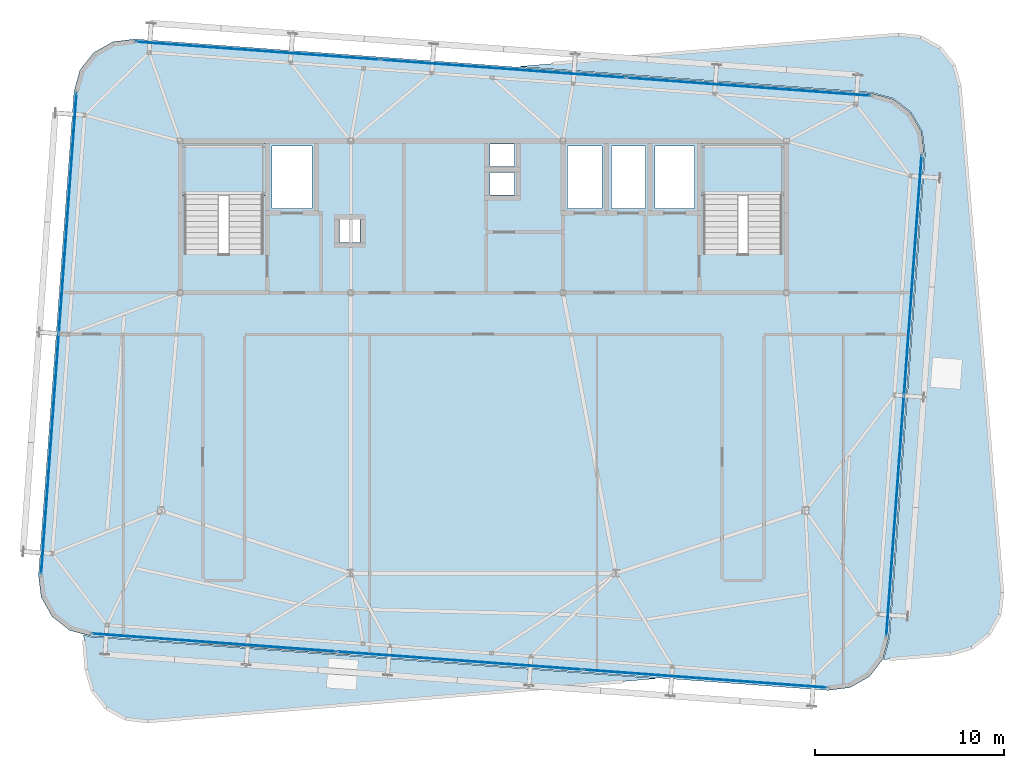
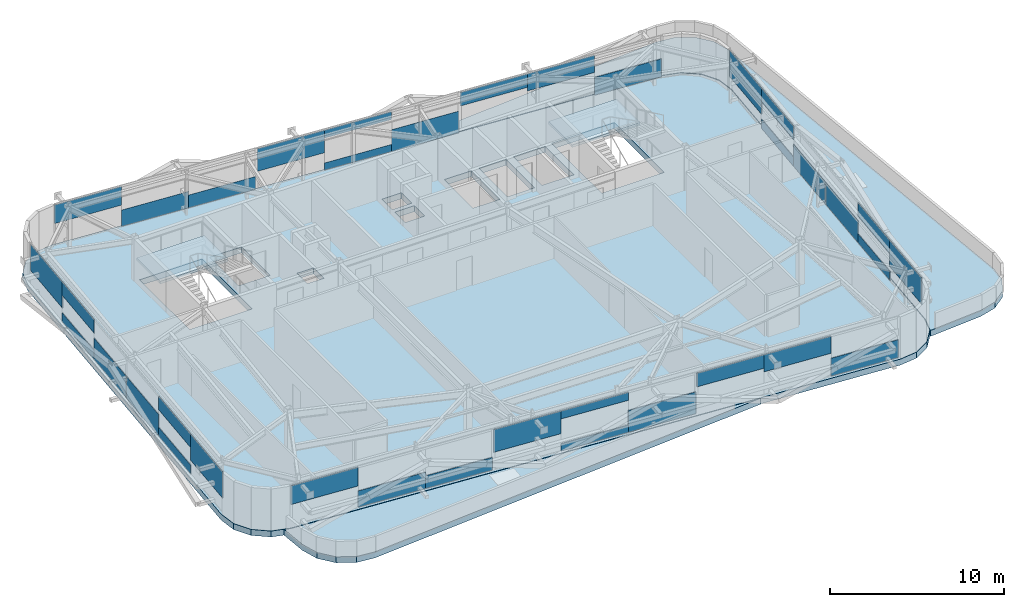
# One storey, part 24 of 37: 36 plates, 5 slabs, 6 elements without a shape of their own.
"""IFC4 building model written with IfcOpenShell, lengths in metres."""

from ifc_helpers import new_model, si_unit, direction, frame, origin, origin_2d, place, context, subcontext, project, spatial, polyline, rectangle, outline, extrude, source, transform, mapped, material, layer, layer_set, type_object, element, aggregate, save


model = new_model("IFC4")

# Units and contexts
model_context = context("Model", 3, precision=1e-05, world=origin(), true_north=direction((0.0, 1.0)))
body_context = subcontext(model_context, "Body", "Model", "MODEL_VIEW")
ifc_project = project(units=[si_unit("LENGTHUNIT", "METRE"), si_unit("AREAUNIT", "SQUARE_METRE"), si_unit("VOLUMEUNIT", "CUBIC_METRE"), si_unit("PLANEANGLEUNIT", "RADIAN"), si_unit("MASSUNIT", "GRAM", prefix="KILO")], contexts=[model_context])

# Site, building, storey
site_placement = place(None, origin())
site = spatial("IfcSite", under=ifc_project, at=site_placement, CompositionType="ELEMENT")
building_placement = place(site_placement, origin())
building = spatial("IfcBuilding", under=site, at=building_placement, Name="Taldren Reach Tower", CompositionType="ELEMENT")
storey_placement = place(building_placement, frame((0.0, 0.0, 211.39990234375)))
storey = spatial("IfcBuildingStorey", under=building, at=storey_placement, Name="L64", CompositionType="ELEMENT", Elevation=211.39990234375)

# Stair, slab
ifc_material_1 = material(Name="Concrete S50 (50 MPa)", Category="concrete")
stair_type = type_object("IfcStairType", Name="ST-HT-315", PredefinedType="HALF_TURN_STAIR", material=ifc_material_1)
stair_1_placement = place(storey_placement, origin())
stair_1 = element("IfcStair", 1, at=stair_1_placement, inside=storey, type_object=stair_type, Name="Fire-isolated exit stair ST1 L64", PredefinedType="HALF_TURN_STAIR")
ifc_layer_1 = layer(ifc_material_1, 0.179931640625)
ifc_layer_set_1 = layer_set([ifc_layer_1], Name="Concrete S50 (50 MPa)")
slab_type_1 = type_object("IfcSlabType", Name="SL-LAND-180", PredefinedType="LANDING", material=ifc_layer_set_1)
slab_1_placement = place(storey_placement, frame((0.0, 0.0, 1.39501953125)))
slab_1 = element("IfcSlab", 2, at=slab_1_placement, type_object=slab_type_1, Name="ST1 landing 1", PredefinedType="LANDING", context=body_context, shape_type="SweptSolid", body=[
    extrude(outline(polyline([(19.0400390625, 29.135009765625), (23.56005859375, 29.135009765625), (23.56005859375, 31.8701171875), (19.0400390625, 31.8701171875), (19.0400390625, 29.135009765625)])), origin(), (0.0, 0.0, 1.0), 0.18017578125),
])
aggregate(stair_1, [slab_1])

stair_2_placement = place(storey_placement, origin())
stair_2 = element("IfcStair", 3, at=stair_2_placement, inside=storey, type_object=stair_type, Name="Fire-isolated exit stair ST2 L64", PredefinedType="HALF_TURN_STAIR")
slab_2_placement = place(storey_placement, frame((0.0, 0.0, 1.39501953125)))
slab_2 = element("IfcSlab", 4, at=slab_2_placement, type_object=slab_type_1, Name="ST2 landing 1", PredefinedType="LANDING", context=body_context, shape_type="SweptSolid", body=[
    extrude(outline(polyline([(46.43994140625, 29.135009765625), (50.9599609375, 29.135009765625), (50.9599609375, 31.8701171875), (46.43994140625, 31.8701171875), (46.43994140625, 29.135009765625)])), origin(), (0.0, 0.0, 1.0), 0.18017578125),
])
aggregate(stair_2, [slab_2])

# Slabs
ifc_layer_2 = layer(ifc_material_1, 0.419921875)
ifc_layer_set_2 = layer_set([ifc_layer_2], Name="Concrete S50 (50 MPa)")
slab_type_2 = type_object("IfcSlabType", Name="SL-TERR-420", PredefinedType="FLOOR", material=ifc_layer_set_2)
slab_3_placement = place(storey_placement, frame((0.0, 0.0, -0.419921875)))
element("IfcSlab", 5, at=slab_3_placement, inside=storey, type_object=slab_type_2, Name="Planted setback sky terrace L64-1", PredefinedType="FLOOR", context=body_context, shape_type="SweptSolid", body=[
    extrude(outline(polyline([(58.06640625, 37.4892578125), (59.090576171875, 36.922607421875), (59.820068359375, 36.007080078125), (60.1435546875, 34.882080078125), (62.38623046875, 8.17626953125), (62.254638671875, 7.012939453125), (61.688232421875, 5.98876953125), (60.772705078125, 5.25927734375), (59.647705078125, 4.935791015625), (56.11328125, 4.638916015625), (56.114013671875, 4.639892578125), (56.11572265625, 4.642333984375), (56.1171875, 4.644775390625), (56.118408203125, 4.6474609375), (56.119140625, 4.650390625), (56.43115234375, 5.778564453125), (56.431640625, 5.781494140625), (56.43212890625, 5.784423828125), (58.306884765625, 31.315673828125), (58.30712890625, 31.318603515625), (58.306884765625, 31.321533203125), (58.1630859375, 32.483154296875), (58.16259765625, 32.486083984375), (58.161865234375, 32.48876953125), (58.160888671875, 32.49169921875), (58.159423828125, 32.494140625), (57.582275390625, 33.512451171875), (57.58056640625, 33.51513671875), (57.578857421875, 33.517333984375), (57.57666015625, 33.51953125), (57.574462890625, 33.521484375), (56.651611328125, 34.2412109375), (56.649169921875, 34.242919921875), (56.646484375, 34.244384765625), (56.643798828125, 34.24560546875), (56.64111328125, 34.24658203125), (55.5126953125, 34.558349609375), (55.510009765625, 34.55908203125), (55.507080078125, 34.559326171875), (36.8037109375, 35.932861328125), (56.903076171875, 37.62060546875), (58.06640625, 37.4892578125)])), origin(), (0.0, 0.0, 1.0), 0.419921875),
])
slab_4_placement = place(storey_placement, frame((0.0, 0.0, -0.419921875)))
element("IfcSlab", 6, at=slab_4_placement, inside=storey, type_object=slab_type_2, Name="Planted setback sky terrace L64-2", PredefinedType="FLOOR", context=body_context, shape_type="SweptSolid", body=[
    extrude(outline(polyline([(16.1337890625, 1.5107421875), (15.109375, 2.077392578125), (14.3798828125, 2.992919921875), (14.056396484375, 4.117919921875), (13.902587890625, 5.947998046875), (14.287109375, 5.841552734375), (14.2900390625, 5.841064453125), (14.29296875, 5.840576171875), (44.23779296875, 3.6416015625), (17.296875, 1.37939453125), (16.1337890625, 1.5107421875)])), origin(), (0.0, 0.0, 1.0), 0.419921875),
])
ifc_material_2 = material(Name="Concrete S65 (65 MPa)", Category="concrete")
ifc_layer_3 = layer(ifc_material_2, 0.419921875)
ifc_layer_set_3 = layer_set([ifc_layer_3], Name="Concrete S65 (65 MPa)")
slab_type_3 = type_object("IfcSlabType", Name="SL-TRANS-420", PredefinedType="FLOOR", material=ifc_layer_set_3)
slab_5_placement = place(storey_placement, frame((0.0, 0.0, -0.419921875)))
element("IfcSlab", 7, at=slab_5_placement, inside=storey, type_object=slab_type_3, Name="Suspended floor slab L64", PredefinedType="FLOOR", context=body_context, shape_type="SweptSolid", body=[
    extrude(outline(polyline([(53.1904296875, 3.014404296875), (54.35205078125, 3.157958984375), (55.370361328125, 3.7353515625), (56.09033203125, 4.658203125), (56.402099609375, 5.78662109375), (58.277099609375, 31.31787109375), (58.13330078125, 32.4794921875), (57.55615234375, 33.497802734375), (56.633056640625, 34.217529296875), (55.5048828125, 34.529541015625), (16.609619140625, 37.3857421875), (15.44775390625, 37.241943359375), (14.429443359375, 36.664794921875), (13.709716796875, 35.74169921875), (13.39794921875, 34.613525390625), (11.52294921875, 9.082275390625), (11.666748046875, 7.920654296875), (12.243896484375, 6.90234375), (13.1669921875, 6.182373046875), (14.295166015625, 5.87060546875), (53.1904296875, 3.014404296875)]), holes=[polyline([(19.219970703125, 26.050048828125), (23.3798828125, 26.050048828125), (23.3798828125, 31.820068359375), (19.219970703125, 31.820068359375), (19.219970703125, 26.050048828125)]), polyline([(46.6201171875, 26.050048828125), (50.780029296875, 26.050048828125), (50.780029296875, 31.820068359375), (46.6201171875, 31.820068359375), (46.6201171875, 26.050048828125)]), polyline([(23.85009765625, 28.449951171875), (25.949951171875, 28.449951171875), (25.949951171875, 31.75), (23.85009765625, 31.75), (23.85009765625, 28.449951171875)]), polyline([(44.050048828125, 28.449951171875), (46.14990234375, 28.449951171875), (46.14990234375, 31.75), (44.050048828125, 31.75), (44.050048828125, 28.449951171875)]), polyline([(39.449951171875, 28.449951171875), (41.25, 28.449951171875), (41.25, 31.75), (39.449951171875, 31.75), (39.449951171875, 28.449951171875)]), polyline([(41.75, 28.449951171875), (43.550048828125, 28.449951171875), (43.550048828125, 31.75), (41.75, 31.75), (41.75, 28.449951171875)]), polyline([(35.35009765625, 30.64990234375), (36.64990234375, 30.64990234375), (36.64990234375, 31.85009765625), (35.35009765625, 31.85009765625), (35.35009765625, 30.64990234375)]), polyline([(35.35009765625, 29.14990234375), (36.64990234375, 29.14990234375), (36.64990234375, 30.35009765625), (35.35009765625, 30.35009765625), (35.35009765625, 29.14990234375)]), polyline([(27.39990234375, 26.64990234375), (28.5, 26.64990234375), (28.5, 27.85009765625), (27.39990234375, 27.85009765625), (27.39990234375, 26.64990234375)])]), origin(), (0.0, 0.0, 1.0), 0.419921875),
])

# Curtain wall, plate
ifc_material_3 = material(Name="Aluminium and Low-E Glass Unitised System", Category="aluminium")
ifc_layer_4 = layer(ifc_material_3, 0.159912109375)
ifc_layer_set_4 = layer_set([ifc_layer_4], Name="Aluminium and Low-E Glass Unitised System")
curtain_wall_type = type_object("IfcCurtainWallType", Name="CW-SYS-6", PredefinedType="NOTDEFINED", material=ifc_layer_set_4)
curtain_wall_1_placement = place(storey_placement, origin())
curtain_wall_1 = element("IfcCurtainWall", 8, at=curtain_wall_1_placement, inside=storey, type_object=curtain_wall_type, Name="Unitised curtain wall CW-L64-S", PredefinedType="NOTDEFINED")
ifc_material_4 = material(Name="Acoustic Triple-Laminated IGU", Category="glass")
ifc_layer_5 = layer(ifc_material_4, 0.035888671875)
ifc_layer_set_5 = layer_set([ifc_layer_5], Name="Acoustic Triple-Laminated IGU")
plate_type = type_object("IfcPlateType", Name="CW-PNL-IGU36", PredefinedType="CURTAIN_PANEL", material=ifc_layer_set_5)
shared_shape_1 = source(origin(), body_context, "Body", "SweptSolid", [
    extrude(rectangle(XDim=4.2958984375, YDim=0.035888671875, at=origin_2d()), origin(), (0.0, 0.0, 1.0), 1.314208984375),
])
plate_1_placement = place(storey_placement, frame((16.5224609375, 5.847412109375, 1.55615234375), z_axis=(0.0, 0.0, 1.0), x_axis=(0.997314476006, -0.073238213716, 0.0)))
plate_1 = element("IfcPlate", 9, at=plate_1_placement, type_object=plate_type, Name="CW-6 panel 1.1 part 1", PredefinedType="CURTAIN_PANEL", context=body_context, shape_type="MappedRepresentation", body=[
    mapped(shared_shape_1, transform((0.0, 0.0, 0.0), scale=1.0)),
])

curtain_wall_2_placement = place(storey_placement, origin())
curtain_wall_2 = element("IfcCurtainWall", 10, at=curtain_wall_2_placement, inside=storey, type_object=curtain_wall_type, Name="Unitised curtain wall CW-L64-N", PredefinedType="NOTDEFINED")
plate_2_placement = place(storey_placement, frame((18.816162109375, 37.083251953125, 1.55615234375), z_axis=(0.0, 0.0, 1.0), x_axis=(-0.997314476006, 0.073238213716, 0.0)))
plate_2 = element("IfcPlate", 11, at=plate_2_placement, type_object=plate_type, Name="CW-6 panel 3.1 part 3", PredefinedType="CURTAIN_PANEL", context=body_context, shape_type="MappedRepresentation", body=[
    mapped(shared_shape_1, transform((0.0, 0.0, 0.0), scale=1.0)),
])

# Plate
shared_shape_2 = source(origin(), body_context, "Body", "SweptSolid", [
    extrude(rectangle(XDim=4.2958984375, YDim=0.035888671875, at=origin_2d()), origin(), (0.0, 0.0, 1.0), 1.144287109375),
])
plate_3_placement = place(storey_placement, frame((20.806640625, 5.53271484375, 0.06005859375), z_axis=(0.0, 0.0, 1.0), x_axis=(0.997314476006, -0.073238213716, 0.0)))
plate_3 = element("IfcPlate", 12, at=plate_3_placement, type_object=plate_type, Name="CW-6 panel 1.1 part 2", PredefinedType="CURTAIN_PANEL", context=body_context, shape_type="MappedRepresentation", body=[
    mapped(shared_shape_2, transform((0.0, 0.0, 0.0), scale=1.0)),
])

plate_4_placement = place(storey_placement, frame((23.1005859375, 36.7685546875, 0.06005859375), z_axis=(0.0, 0.0, 1.0), x_axis=(-0.997314476006, 0.073238213716, 0.0)))
plate_4 = element("IfcPlate", 13, at=plate_4_placement, type_object=plate_type, Name="CW-6 panel 3.1 part 2", PredefinedType="CURTAIN_PANEL", context=body_context, shape_type="MappedRepresentation", body=[
    mapped(shared_shape_2, transform((0.0, 0.0, 0.0), scale=1.0)),
])

shared_shape_3 = source(origin(), body_context, "Body", "SweptSolid", [
    extrude(rectangle(XDim=4.2958984375, YDim=0.035888671875, at=origin_2d()), origin(), (0.0, 0.0, 1.0), 0.89306640625),
])
plate_5_placement = place(storey_placement, frame((25.091064453125, 5.21826171875, 0.06005859375), z_axis=(0.0, 0.0, 1.0), x_axis=(0.997314476006, -0.073238213716, 0.0)))
plate_5 = element("IfcPlate", 14, at=plate_5_placement, type_object=plate_type, Name="CW-6 panel 1.1 part 3", PredefinedType="CURTAIN_PANEL", context=body_context, shape_type="MappedRepresentation", body=[
    mapped(shared_shape_3, transform((0.0, 0.0, 0.0), scale=1.0)),
])

plate_6_placement = place(storey_placement, frame((27.384765625, 36.4541015625, 0.06005859375), z_axis=(0.0, 0.0, 1.0), x_axis=(-0.997314476006, 0.073238213716, 0.0)))
plate_6 = element("IfcPlate", 15, at=plate_6_placement, type_object=plate_type, Name="CW-6 panel 3.1 part 1", PredefinedType="CURTAIN_PANEL", context=body_context, shape_type="MappedRepresentation", body=[
    mapped(shared_shape_3, transform((0.0, 0.0, 0.0), scale=1.0)),
])

shared_shape_4 = source(origin(), body_context, "Body", "SweptSolid", [
    extrude(rectangle(XDim=4.308349609375, YDim=0.035888671875, at=origin_2d()), origin(), (0.0, 0.0, 1.0), 1.589599609375),
])
plate_7_placement = place(storey_placement, frame((29.456298828125, 4.897705078125, 1.2802734375), z_axis=(0.0, 0.0, 1.0), x_axis=(0.997314476006, -0.073238213716, 0.0)))
plate_7 = element("IfcPlate", 16, at=plate_7_placement, type_object=plate_type, Name="CW-6 panel 2.1 part 1", PredefinedType="CURTAIN_PANEL", context=body_context, shape_type="MappedRepresentation", body=[
    mapped(shared_shape_4, transform((0.0, 0.0, 0.0), scale=1.0)),
])

plate_8_placement = place(storey_placement, frame((31.750244140625, 36.133544921875, 1.2802734375), z_axis=(0.0, 0.0, 1.0), x_axis=(-0.997314476006, 0.073238213716, 0.0)))
plate_8 = element("IfcPlate", 17, at=plate_8_placement, type_object=plate_type, Name="CW-6 panel 2.1 part 4", PredefinedType="CURTAIN_PANEL", context=body_context, shape_type="MappedRepresentation", body=[
    mapped(shared_shape_4, transform((0.0, 0.0, 0.0), scale=1.0)),
])

shared_shape_5 = source(origin(), body_context, "Body", "SweptSolid", [
    extrude(rectangle(XDim=4.308349609375, YDim=0.035888671875, at=origin_2d()), origin(), (0.0, 0.0, 1.0), 0.499267578125),
])
plate_9_placement = place(storey_placement, frame((33.753173828125, 4.58203125, 0.06005859375), z_axis=(0.0, 0.0, 1.0), x_axis=(0.997314476006, -0.073238213716, 0.0)))
plate_9 = element("IfcPlate", 18, at=plate_9_placement, type_object=plate_type, Name="CW-6 panel 2.1 part 2", PredefinedType="CURTAIN_PANEL", context=body_context, shape_type="MappedRepresentation", body=[
    mapped(shared_shape_5, transform((0.0, 0.0, 0.0), scale=1.0)),
])

plate_10_placement = place(storey_placement, frame((36.046875, 35.81787109375, 0.06005859375), z_axis=(0.0, 0.0, 1.0), x_axis=(-0.997314476006, 0.073238213716, 0.0)))
plate_10 = element("IfcPlate", 19, at=plate_10_placement, type_object=plate_type, Name="CW-6 panel 2.1 part 2", PredefinedType="CURTAIN_PANEL", context=body_context, shape_type="MappedRepresentation", body=[
    mapped(shared_shape_5, transform((0.0, 0.0, 0.0), scale=1.0)),
])

shared_shape_6 = source(origin(), body_context, "Body", "SweptSolid", [
    extrude(rectangle(XDim=4.308349609375, YDim=0.035888671875, at=origin_2d()), origin(), (0.0, 0.0, 1.0), 0.559326171875),
])
plate_11_placement = place(storey_placement, frame((33.753173828125, 4.58203125, 2.310546875), z_axis=(0.0, 0.0, 1.0), x_axis=(0.997314476006, -0.073238213716, 0.0)))
plate_11 = element("IfcPlate", 20, at=plate_11_placement, type_object=plate_type, Name="CW-6 panel 2.1 part 3", PredefinedType="CURTAIN_PANEL", context=body_context, shape_type="MappedRepresentation", body=[
    mapped(shared_shape_6, transform((0.0, 0.0, 0.0), scale=1.0)),
])

plate_12_placement = place(storey_placement, frame((36.046875, 35.81787109375, 2.310546875), z_axis=(0.0, 0.0, 1.0), x_axis=(-0.997314476006, 0.073238213716, 0.0)))
plate_12 = element("IfcPlate", 21, at=plate_12_placement, type_object=plate_type, Name="CW-6 panel 2.1 part 3", PredefinedType="CURTAIN_PANEL", context=body_context, shape_type="MappedRepresentation", body=[
    mapped(shared_shape_6, transform((0.0, 0.0, 0.0), scale=1.0)),
])

shared_shape_7 = source(origin(), body_context, "Body", "SweptSolid", [
    extrude(rectangle(XDim=4.308349609375, YDim=0.035888671875, at=origin_2d()), origin(), (0.0, 0.0, 1.0), 1.52978515625),
])
plate_13_placement = place(storey_placement, frame((38.0498046875, 4.2666015625, 0.06005859375), z_axis=(0.0, 0.0, 1.0), x_axis=(0.997314476006, -0.073238213716, 0.0)))
plate_13 = element("IfcPlate", 22, at=plate_13_placement, type_object=plate_type, Name="CW-6 panel 2.1 part 4", PredefinedType="CURTAIN_PANEL", context=body_context, shape_type="MappedRepresentation", body=[
    mapped(shared_shape_7, transform((0.0, 0.0, 0.0), scale=1.0)),
])

plate_14_placement = place(storey_placement, frame((40.34375, 35.50244140625, 0.06005859375), z_axis=(0.0, 0.0, 1.0), x_axis=(-0.997314476006, 0.073238213716, 0.0)))
plate_14 = element("IfcPlate", 23, at=plate_14_placement, type_object=plate_type, Name="CW-6 panel 2.1 part 1", PredefinedType="CURTAIN_PANEL", context=body_context, shape_type="MappedRepresentation", body=[
    mapped(shared_shape_7, transform((0.0, 0.0, 0.0), scale=1.0)),
])

shared_shape_8 = source(origin(), body_context, "Body", "SweptSolid", [
    extrude(rectangle(XDim=4.2958984375, YDim=0.035888671875, at=origin_2d()), origin(), (0.0, 0.0, 1.0), 0.952880859375),
])
plate_15_placement = place(storey_placement, frame((42.415283203125, 3.946044921875, 1.9169921875), z_axis=(0.0, 0.0, 1.0), x_axis=(0.997314476006, -0.073238213716, 0.0)))
plate_15 = element("IfcPlate", 24, at=plate_15_placement, type_object=plate_type, Name="CW-6 panel 3.1 part 1", PredefinedType="CURTAIN_PANEL", context=body_context, shape_type="MappedRepresentation", body=[
    mapped(shared_shape_8, transform((0.0, 0.0, 0.0), scale=1.0)),
])

plate_16_placement = place(storey_placement, frame((44.708984375, 35.181884765625, 1.9169921875), z_axis=(0.0, 0.0, 1.0), x_axis=(-0.997314476006, 0.073238213716, 0.0)))
plate_16 = element("IfcPlate", 25, at=plate_16_placement, type_object=plate_type, Name="CW-6 panel 1.1 part 3", PredefinedType="CURTAIN_PANEL", context=body_context, shape_type="MappedRepresentation", body=[
    mapped(shared_shape_8, transform((0.0, 0.0, 0.0), scale=1.0)),
])

shared_shape_9 = source(origin(), body_context, "Body", "SweptSolid", [
    extrude(rectangle(XDim=4.2958984375, YDim=0.035888671875, at=origin_2d()), origin(), (0.0, 0.0, 1.0), 1.2041015625),
])
plate_17_placement = place(storey_placement, frame((46.699462890625, 3.63134765625, 1.666015625), z_axis=(0.0, 0.0, 1.0), x_axis=(0.997314476006, -0.073238213716, 0.0)))
plate_17 = element("IfcPlate", 26, at=plate_17_placement, type_object=plate_type, Name="CW-6 panel 3.1 part 2", PredefinedType="CURTAIN_PANEL", context=body_context, shape_type="MappedRepresentation", body=[
    mapped(shared_shape_9, transform((0.0, 0.0, 0.0), scale=1.0)),
])

plate_18_placement = place(storey_placement, frame((48.993408203125, 34.8671875, 1.666015625), z_axis=(0.0, 0.0, 1.0), x_axis=(-0.997314476006, 0.073238213716, 0.0)))
plate_18 = element("IfcPlate", 27, at=plate_18_placement, type_object=plate_type, Name="CW-6 panel 1.1 part 2", PredefinedType="CURTAIN_PANEL", context=body_context, shape_type="MappedRepresentation", body=[
    mapped(shared_shape_9, transform((0.0, 0.0, 0.0), scale=1.0)),
])

shared_shape_10 = source(origin(), body_context, "Body", "SweptSolid", [
    extrude(rectangle(XDim=4.2958984375, YDim=0.035888671875, at=origin_2d()), origin(), (0.0, 0.0, 1.0), 1.254150390625),
])
plate_19_placement = place(storey_placement, frame((50.98388671875, 3.316650390625, 0.06005859375), z_axis=(0.0, 0.0, 1.0), x_axis=(0.997314476006, -0.073238213716, 0.0)))
plate_19 = element("IfcPlate", 28, at=plate_19_placement, type_object=plate_type, Name="CW-6 panel 3.1 part 3", PredefinedType="CURTAIN_PANEL", context=body_context, shape_type="MappedRepresentation", body=[
    mapped(shared_shape_10, transform((0.0, 0.0, 0.0), scale=1.0)),
])

aggregate(curtain_wall_1, [plate_1, plate_3, plate_5, plate_7, plate_9, plate_11, plate_13, plate_15, plate_17, plate_19])

plate_20_placement = place(storey_placement, frame((53.277587890625, 34.552490234375, 0.06005859375), z_axis=(0.0, 0.0, 1.0), x_axis=(-0.997314476006, 0.073238213716, 0.0)))
plate_20 = element("IfcPlate", 29, at=plate_20_placement, type_object=plate_type, Name="CW-6 panel 1.1 part 1", PredefinedType="CURTAIN_PANEL", context=body_context, shape_type="MappedRepresentation", body=[
    mapped(shared_shape_10, transform((0.0, 0.0, 0.0), scale=1.0)),
])

aggregate(curtain_wall_2, [plate_20, plate_18, plate_16, plate_14, plate_10, plate_12, plate_8, plate_6, plate_4, plate_2])

# Curtain wall, plates
curtain_wall_3_placement = place(storey_placement, origin())
curtain_wall_3 = element("IfcCurtainWall", 30, at=curtain_wall_3_placement, inside=storey, type_object=curtain_wall_type, Name="Unitised curtain wall CW-L64-W", PredefinedType="NOTDEFINED")
shared_shape_11 = source(origin(), body_context, "Body", "SweptSolid", [
    extrude(rectangle(XDim=4.229248046875, YDim=0.035888671875, at=origin_2d()), origin(), (0.0, 0.0, 1.0), 1.82861328125),
])
plate_21_placement = place(storey_placement, frame((13.377197265625, 32.41943359375, 1.04150390625), z_axis=(0.0, 0.0, 1.0), x_axis=(-0.073238282558, -0.997314470951, 0.0)))
plate_21 = element("IfcPlate", 31, at=plate_21_placement, type_object=plate_type, Name="CW-6 panel 1.1 part 1", PredefinedType="CURTAIN_PANEL", context=body_context, shape_type="MappedRepresentation", body=[
    mapped(shared_shape_11, transform((0.0, 0.0, 0.0), scale=1.0)),
])
plate_22_placement = place(storey_placement, frame((11.822998046875, 11.255615234375, 1.04150390625), z_axis=(0.0, 0.0, 1.0), x_axis=(-0.073238282558, -0.997314470951, 0.0)))
plate_22 = element("IfcPlate", 32, at=plate_22_placement, type_object=plate_type, Name="CW-6 panel 2.1 part 4", PredefinedType="CURTAIN_PANEL", context=body_context, shape_type="MappedRepresentation", body=[
    mapped(shared_shape_11, transform((0.0, 0.0, 0.0), scale=1.0)),
])

curtain_wall_4_placement = place(storey_placement, origin())
curtain_wall_4 = element("IfcCurtainWall", 33, at=curtain_wall_4_placement, inside=storey, type_object=curtain_wall_type, Name="Unitised curtain wall CW-L64-E", PredefinedType="NOTDEFINED")
plate_23_placement = place(storey_placement, frame((56.4228515625, 7.98046875, 1.04150390625), z_axis=(0.0, 0.0, 1.0), x_axis=(0.073238282558, 0.997314470951, 0.0)))
plate_23 = element("IfcPlate", 34, at=plate_23_placement, type_object=plate_type, Name="CW-6 panel 1.1 part 1", PredefinedType="CURTAIN_PANEL", context=body_context, shape_type="MappedRepresentation", body=[
    mapped(shared_shape_11, transform((0.0, 0.0, 0.0), scale=1.0)),
])
plate_24_placement = place(storey_placement, frame((57.97705078125, 29.144287109375, 1.04150390625), z_axis=(0.0, 0.0, 1.0), x_axis=(0.073238282558, 0.997314470951, 0.0)))
plate_24 = element("IfcPlate", 35, at=plate_24_placement, type_object=plate_type, Name="CW-6 panel 2.1 part 4", PredefinedType="CURTAIN_PANEL", context=body_context, shape_type="MappedRepresentation", body=[
    mapped(shared_shape_11, transform((0.0, 0.0, 0.0), scale=1.0)),
])

# Plate
shared_shape_12 = source(origin(), body_context, "Body", "SweptSolid", [
    extrude(rectangle(XDim=4.229248046875, YDim=0.035888671875, at=origin_2d()), origin(), (0.0, 0.0, 1.0), 0.63916015625),
])
plate_25_placement = place(storey_placement, frame((13.0673828125, 28.20166015625, 0.06005859375), z_axis=(0.0, 0.0, 1.0), x_axis=(-0.073238282558, -0.997314470951, 0.0)))
plate_25 = element("IfcPlate", 36, at=plate_25_placement, type_object=plate_type, Name="CW-6 panel 1.1 part 2", PredefinedType="CURTAIN_PANEL", context=body_context, shape_type="MappedRepresentation", body=[
    mapped(shared_shape_12, transform((0.0, 0.0, 0.0), scale=1.0)),
])

plate_26_placement = place(storey_placement, frame((12.1328125, 15.473388671875, 0.06005859375), z_axis=(0.0, 0.0, 1.0), x_axis=(-0.073238282558, -0.997314470951, 0.0)))
plate_26 = element("IfcPlate", 37, at=plate_26_placement, type_object=plate_type, Name="CW-6 panel 2.1 part 2", PredefinedType="CURTAIN_PANEL", context=body_context, shape_type="MappedRepresentation", body=[
    mapped(shared_shape_12, transform((0.0, 0.0, 0.0), scale=1.0)),
])

plate_27_placement = place(storey_placement, frame((56.732666015625, 12.1982421875, 0.06005859375), z_axis=(0.0, 0.0, 1.0), x_axis=(0.073238282558, 0.997314470951, 0.0)))
plate_27 = element("IfcPlate", 38, at=plate_27_placement, type_object=plate_type, Name="CW-6 panel 1.1 part 2", PredefinedType="CURTAIN_PANEL", context=body_context, shape_type="MappedRepresentation", body=[
    mapped(shared_shape_12, transform((0.0, 0.0, 0.0), scale=1.0)),
])

plate_28_placement = place(storey_placement, frame((57.667236328125, 24.926513671875, 0.06005859375), z_axis=(0.0, 0.0, 1.0), x_axis=(0.073238282558, 0.997314470951, 0.0)))
plate_28 = element("IfcPlate", 39, at=plate_28_placement, type_object=plate_type, Name="CW-6 panel 2.1 part 2", PredefinedType="CURTAIN_PANEL", context=body_context, shape_type="MappedRepresentation", body=[
    mapped(shared_shape_12, transform((0.0, 0.0, 0.0), scale=1.0)),
])

shared_shape_13 = source(origin(), body_context, "Body", "SweptSolid", [
    extrude(rectangle(XDim=4.229248046875, YDim=0.035888671875, at=origin_2d()), origin(), (0.0, 0.0, 1.0), 0.94287109375),
])
plate_29_placement = place(storey_placement, frame((13.0673828125, 28.20166015625, 1.92724609375), z_axis=(0.0, 0.0, 1.0), x_axis=(-0.073238282558, -0.997314470951, 0.0)))
plate_29 = element("IfcPlate", 40, at=plate_29_placement, type_object=plate_type, Name="CW-6 panel 1.1 part 3", PredefinedType="CURTAIN_PANEL", context=body_context, shape_type="MappedRepresentation", body=[
    mapped(shared_shape_13, transform((0.0, 0.0, 0.0), scale=1.0)),
])

plate_30_placement = place(storey_placement, frame((12.1328125, 15.473388671875, 1.92724609375), z_axis=(0.0, 0.0, 1.0), x_axis=(-0.073238282558, -0.997314470951, 0.0)))
plate_30 = element("IfcPlate", 41, at=plate_30_placement, type_object=plate_type, Name="CW-6 panel 2.1 part 3", PredefinedType="CURTAIN_PANEL", context=body_context, shape_type="MappedRepresentation", body=[
    mapped(shared_shape_13, transform((0.0, 0.0, 0.0), scale=1.0)),
])

plate_31_placement = place(storey_placement, frame((56.732666015625, 12.1982421875, 1.92724609375), z_axis=(0.0, 0.0, 1.0), x_axis=(0.073238282558, 0.997314470951, 0.0)))
plate_31 = element("IfcPlate", 42, at=plate_31_placement, type_object=plate_type, Name="CW-6 panel 1.1 part 3", PredefinedType="CURTAIN_PANEL", context=body_context, shape_type="MappedRepresentation", body=[
    mapped(shared_shape_13, transform((0.0, 0.0, 0.0), scale=1.0)),
])

plate_32_placement = place(storey_placement, frame((57.667236328125, 24.926513671875, 1.92724609375), z_axis=(0.0, 0.0, 1.0), x_axis=(0.073238282558, 0.997314470951, 0.0)))
plate_32 = element("IfcPlate", 43, at=plate_32_placement, type_object=plate_type, Name="CW-6 panel 2.1 part 3", PredefinedType="CURTAIN_PANEL", context=body_context, shape_type="MappedRepresentation", body=[
    mapped(shared_shape_13, transform((0.0, 0.0, 0.0), scale=1.0)),
])

shared_shape_14 = source(origin(), body_context, "Body", "SweptSolid", [
    extrude(rectangle(XDim=4.229248046875, YDim=0.035888671875, at=origin_2d()), origin(), (0.0, 0.0, 1.0), 1.525146484375),
])
plate_33_placement = place(storey_placement, frame((12.757568359375, 23.98388671875, 0.06005859375), z_axis=(0.0, 0.0, 1.0), x_axis=(-0.073238282558, -0.997314470951, 0.0)))
plate_33 = element("IfcPlate", 44, at=plate_33_placement, type_object=plate_type, Name="CW-6 panel 1.1 part 4", PredefinedType="CURTAIN_PANEL", context=body_context, shape_type="MappedRepresentation", body=[
    mapped(shared_shape_14, transform((0.0, 0.0, 0.0), scale=1.0)),
])

plate_34_placement = place(storey_placement, frame((12.4423828125, 19.69140625, 0.06005859375), z_axis=(0.0, 0.0, 1.0), x_axis=(-0.073238282558, -0.997314470951, 0.0)))
plate_34 = element("IfcPlate", 45, at=plate_34_placement, type_object=plate_type, Name="CW-6 panel 2.1 part 1", PredefinedType="CURTAIN_PANEL", context=body_context, shape_type="MappedRepresentation", body=[
    mapped(shared_shape_14, transform((0.0, 0.0, 0.0), scale=1.0)),
])

aggregate(curtain_wall_3, [plate_21, plate_25, plate_29, plate_33, plate_34, plate_26, plate_30, plate_22])

plate_35_placement = place(storey_placement, frame((57.042236328125, 16.416015625, 0.06005859375), z_axis=(0.0, 0.0, 1.0), x_axis=(0.073238282558, 0.997314470951, 0.0)))
plate_35 = element("IfcPlate", 46, at=plate_35_placement, type_object=plate_type, Name="CW-6 panel 1.1 part 4", PredefinedType="CURTAIN_PANEL", context=body_context, shape_type="MappedRepresentation", body=[
    mapped(shared_shape_14, transform((0.0, 0.0, 0.0), scale=1.0)),
])

plate_36_placement = place(storey_placement, frame((57.357666015625, 20.708740234375, 0.06005859375), z_axis=(0.0, 0.0, 1.0), x_axis=(0.073238282558, 0.997314470951, 0.0)))
plate_36 = element("IfcPlate", 47, at=plate_36_placement, type_object=plate_type, Name="CW-6 panel 2.1 part 1", PredefinedType="CURTAIN_PANEL", context=body_context, shape_type="MappedRepresentation", body=[
    mapped(shared_shape_14, transform((0.0, 0.0, 0.0), scale=1.0)),
])

aggregate(curtain_wall_4, [plate_23, plate_27, plate_31, plate_35, plate_36, plate_28, plate_32, plate_24])

save(model, "model.ifc")
